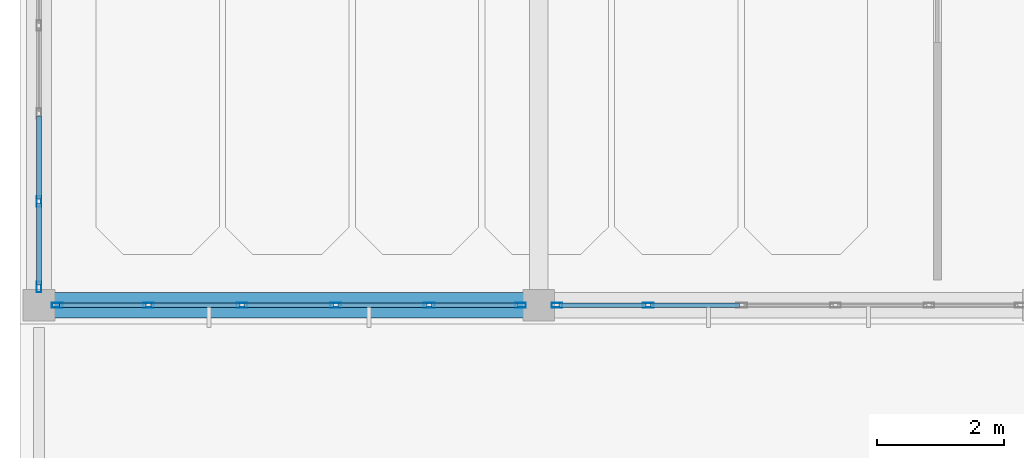
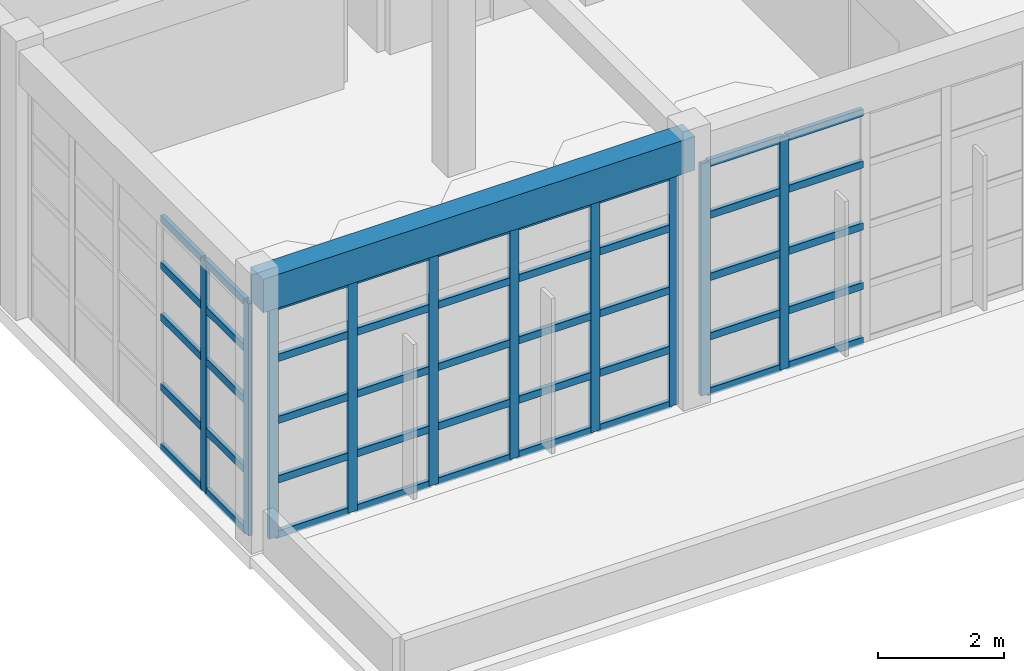
# One storey, part 3 of 103: 55 members, 1 beam, 3 elements without a shape of their own.
"""IFC4 building model written with IfcOpenShell, lengths in metres."""

from ifc_helpers import new_model, si_unit, direction, frame, origin, origin_2d, place, context, subcontext, project, spatial, rectangle, hollow_rectangle, extrude, material, layer, layer_set, material_profile, profile_set, type_object, element, aggregate, save


model = new_model("IFC4")

# Units and contexts
model_context = context("Model", 3, precision=1e-05, world=origin(), true_north=direction((0.0, 1.0)))
body_context = subcontext(model_context, "Body", "Model", "MODEL_VIEW")
ifc_project = project(units=[si_unit("LENGTHUNIT", "METRE"), si_unit("AREAUNIT", "SQUARE_METRE"), si_unit("VOLUMEUNIT", "CUBIC_METRE"), si_unit("PLANEANGLEUNIT", "RADIAN"), si_unit("MASSUNIT", "GRAM", prefix="KILO")], contexts=[model_context])

# Site, building, storey
site_placement = place(None, origin())
site = spatial("IfcSite", under=ifc_project, at=site_placement, CompositionType="ELEMENT")
building_placement = place(site_placement, origin())
building = spatial("IfcBuilding", under=site, at=building_placement, Name="Candilejo Ridge Gondola Terminal", CompositionType="ELEMENT")
storey_placement = place(building_placement, frame((0.0, 0.0, 9.0)))
storey = spatial("IfcBuildingStorey", under=building, at=storey_placement, Name="L02", CompositionType="ELEMENT", Elevation=9.0)

# Curtain wall, members
ifc_material_1 = material(Name="Anodised aluminium AA 6063-T6", Category="aluminium")
ifc_layer_1 = layer(ifc_material_1, 0.169921875)
ifc_layer_set_1 = layer_set([ifc_layer_1], Name="ARC-CW-GALLERY-3200-740X449")
curtain_wall_type_1 = type_object("IfcCurtainWallType", Name="ARC-CW-GALLERY-3200-740X449", PredefinedType="NOTDEFINED", material=ifc_layer_set_1)
curtain_wall_1_placement = place(storey_placement, origin())
curtain_wall_1 = element("IfcCurtainWall", 1, at=curtain_wall_1_placement, inside=storey, type_object=curtain_wall_type_1, Name="Curtain wall V1 L02-003", PredefinedType="NOTDEFINED")
ifc_material_2 = material(Name="Anodised aluminium AA 6063-T6", Category="aluminium")
ifc_material_profile_1 = material_profile(ifc_material_2, hollow_rectangle(XDim=0.074951171875, YDim=0.169921875, WallThickness=0.00390625, at=origin_2d()))
ifc_profile_set_1 = profile_set([ifc_material_profile_1], Name="Anodised aluminium AA 6063-T6")
member_type_1 = type_object("IfcMemberType", Name="ARC-CW-MULLION", PredefinedType="MULLION", material=ifc_profile_set_1)
member_1_placement = place(storey_placement, frame((4.58740234375, 10.800048828125, 0.0), z_axis=(0.0, 0.0, 1.0), x_axis=(0.0, 1.0, 0.0)))
member_1 = element("IfcMember", 2, at=member_1_placement, type_object=member_type_1, Name="CW-74X44 mullion 1", PredefinedType="MULLION", context=body_context, shape_type="SweptSolid", body=[
    extrude(hollow_rectangle(XDim=0.074951171875, YDim=0.169921875, WallThickness=0.00390625, at=origin_2d()), origin(), (0.0, 0.0, 1.0), 4.489990234375),
])
member_2_placement = place(storey_placement, frame((6.030029296875, 10.800048828125, 0.0), z_axis=(0.0, 0.0, 1.0), x_axis=(0.0, 1.0, 0.0)))
member_2 = element("IfcMember", 3, at=member_2_placement, type_object=member_type_1, Name="CW-74X44 mullion 2", PredefinedType="MULLION", context=body_context, shape_type="SweptSolid", body=[
    extrude(hollow_rectangle(XDim=0.074951171875, YDim=0.169921875, WallThickness=0.00390625, at=origin_2d()), origin(), (0.0, 0.0, 1.0), 4.489990234375),
])
member_3_placement = place(storey_placement, frame((7.510009765625, 10.800048828125, 0.0), z_axis=(0.0, 0.0, 1.0), x_axis=(0.0, 1.0, 0.0)))
member_3 = element("IfcMember", 4, at=member_3_placement, type_object=member_type_1, Name="CW-74X44 mullion 3", PredefinedType="MULLION", context=body_context, shape_type="SweptSolid", body=[
    extrude(hollow_rectangle(XDim=0.074951171875, YDim=0.169921875, WallThickness=0.00390625, at=origin_2d()), origin(), (0.0, 0.0, 1.0), 4.489990234375),
])
member_4_placement = place(storey_placement, frame((8.989990234375, 10.800048828125, 0.0), z_axis=(0.0, 0.0, 1.0), x_axis=(0.0, 1.0, 0.0)))
member_4 = element("IfcMember", 5, at=member_4_placement, type_object=member_type_1, Name="CW-74X44 mullion 4", PredefinedType="MULLION", context=body_context, shape_type="SweptSolid", body=[
    extrude(hollow_rectangle(XDim=0.074951171875, YDim=0.169921875, WallThickness=0.00390625, at=origin_2d()), origin(), (0.0, 0.0, 1.0), 4.489990234375),
])
member_5_placement = place(storey_placement, frame((10.469970703125, 10.800048828125, 0.0), z_axis=(0.0, 0.0, 1.0), x_axis=(0.0, 1.0, 0.0)))
member_5 = element("IfcMember", 6, at=member_5_placement, type_object=member_type_1, Name="CW-74X44 mullion 5", PredefinedType="MULLION", context=body_context, shape_type="SweptSolid", body=[
    extrude(hollow_rectangle(XDim=0.074951171875, YDim=0.169921875, WallThickness=0.00390625, at=origin_2d()), origin(), (0.0, 0.0, 1.0), 4.489990234375),
])
member_6_placement = place(storey_placement, frame((11.91259765625, 10.800048828125, 0.0), z_axis=(0.0, 0.0, 1.0), x_axis=(0.0, 1.0, 0.0)))
member_6 = element("IfcMember", 7, at=member_6_placement, type_object=member_type_1, Name="CW-74X44 mullion 6", PredefinedType="MULLION", context=body_context, shape_type="SweptSolid", body=[
    extrude(hollow_rectangle(XDim=0.074951171875, YDim=0.169921875, WallThickness=0.00390625, at=origin_2d()), origin(), (0.0, 0.0, 1.0), 4.489990234375),
])

curtain_wall_2_placement = place(storey_placement, origin())
curtain_wall_2 = element("IfcCurtainWall", 8, at=curtain_wall_2_placement, inside=storey, type_object=curtain_wall_type_1, Name="Curtain wall V1 L02-007", PredefinedType="NOTDEFINED")
member_7_placement = place(storey_placement, frame((12.487548828125, 10.800048828125, 0.0), z_axis=(0.0, 0.0, 1.0), x_axis=(0.0, 1.0, 0.0)))
member_7 = element("IfcMember", 9, at=member_7_placement, type_object=member_type_1, Name="CW-74X44 mullion 1", PredefinedType="MULLION", context=body_context, shape_type="SweptSolid", body=[
    extrude(hollow_rectangle(XDim=0.074951171875, YDim=0.169921875, WallThickness=0.00390625, at=origin_2d()), origin(), (0.0, 0.0, 1.0), 4.489990234375),
])
member_8_placement = place(storey_placement, frame((13.929931640625, 10.800048828125, 0.0), z_axis=(0.0, 0.0, 1.0), x_axis=(0.0, 1.0, 0.0)))
member_8 = element("IfcMember", 10, at=member_8_placement, type_object=member_type_1, Name="CW-74X44 mullion 2", PredefinedType="MULLION", context=body_context, shape_type="SweptSolid", body=[
    extrude(hollow_rectangle(XDim=0.074951171875, YDim=0.169921875, WallThickness=0.00390625, at=origin_2d()), origin(), (0.0, 0.0, 1.0), 4.489990234375),
])

ifc_material_3 = material(Name="Anodised aluminium AA 6063-T6", Category="aluminium")
ifc_layer_2 = layer(ifc_material_3, 0.169921875)
ifc_layer_set_2 = layer_set([ifc_layer_2], Name="ARC-CW-CONCOURSE-3600-695X449")
curtain_wall_type_2 = type_object("IfcCurtainWallType", Name="ARC-CW-CONCOURSE-3600-695X449", PredefinedType="NOTDEFINED", material=ifc_layer_set_2)
curtain_wall_3_placement = place(storey_placement, origin())
curtain_wall_3 = element("IfcCurtainWall", 11, at=curtain_wall_3_placement, inside=storey, type_object=curtain_wall_type_2, Name="Curtain wall V1 L02-022", PredefinedType="NOTDEFINED")
member_9_placement = place(storey_placement, frame((4.300048828125, 11.08740234375, 0.0), z_axis=(0.0, 0.0, 1.0), x_axis=(-1.0, 0.0, 0.0)))
member_9 = element("IfcMember", 12, at=member_9_placement, type_object=member_type_1, Name="CW-69X44 mullion 1", PredefinedType="MULLION", context=body_context, shape_type="SweptSolid", body=[
    extrude(hollow_rectangle(XDim=0.074951171875, YDim=0.169921875, WallThickness=0.00390625, at=origin_2d()), origin(), (0.0, 0.0, 1.0), 4.489990234375),
])
member_10_placement = place(storey_placement, frame((4.300048828125, 12.43994140625, 0.0), z_axis=(0.0, 0.0, 1.0), x_axis=(-1.0, 0.0, 0.0)))
member_10 = element("IfcMember", 13, at=member_10_placement, type_object=member_type_1, Name="CW-69X44 mullion 2", PredefinedType="MULLION", context=body_context, shape_type="SweptSolid", body=[
    extrude(hollow_rectangle(XDim=0.074951171875, YDim=0.169921875, WallThickness=0.00390625, at=origin_2d()), origin(), (0.0, 0.0, 1.0), 4.489990234375),
])

# Member
ifc_material_4 = material(Name="Anodised aluminium AA 6063-T6", Category="aluminium")
ifc_material_profile_2 = material_profile(ifc_material_4, hollow_rectangle(XDim=0.074951171875, YDim=0.139892578125, WallThickness=0.00390625, at=origin_2d()))
ifc_profile_set_2 = profile_set([ifc_material_profile_2], Name="Anodised aluminium AA 6063-T6")
member_type_2 = type_object("IfcMemberType", Name="ARC-CW-TRANSOM", PredefinedType="USERDEFINED", material=ifc_profile_set_2)
member_11_placement = place(storey_placement, frame((4.625, 10.800048828125, 0.03759765625), z_axis=(1.0, 0.0, 0.0), x_axis=(0.0, 1.0, 0.0)))
member_11 = element("IfcMember", 14, at=member_11_placement, type_object=member_type_2, Name="CW-74X44 transom 1.1", ObjectType="TRANSOM", PredefinedType="USERDEFINED", context=body_context, shape_type="SweptSolid", body=[
    extrude(hollow_rectangle(XDim=0.074951171875, YDim=0.139892578125, WallThickness=0.00390625, at=origin_2d()), origin(), (0.0, 0.0, 1.0), 1.367431640625),
])

member_12_placement = place(storey_placement, frame((4.625, 10.800048828125, 1.10009765625), z_axis=(1.0, 0.0, 0.0), x_axis=(0.0, 1.0, 0.0)))
member_12 = element("IfcMember", 15, at=member_12_placement, type_object=member_type_2, Name="CW-74X44 transom 1.2", ObjectType="TRANSOM", PredefinedType="USERDEFINED", context=body_context, shape_type="SweptSolid", body=[
    extrude(hollow_rectangle(XDim=0.074951171875, YDim=0.139892578125, WallThickness=0.00390625, at=origin_2d()), origin(), (0.0, 0.0, 1.0), 1.367431640625),
])

member_13_placement = place(storey_placement, frame((4.625, 10.800048828125, 2.25), z_axis=(1.0, 0.0, 0.0), x_axis=(0.0, 1.0, 0.0)))
member_13 = element("IfcMember", 16, at=member_13_placement, type_object=member_type_2, Name="CW-74X44 transom 1.3", ObjectType="TRANSOM", PredefinedType="USERDEFINED", context=body_context, shape_type="SweptSolid", body=[
    extrude(hollow_rectangle(XDim=0.074951171875, YDim=0.139892578125, WallThickness=0.00390625, at=origin_2d()), origin(), (0.0, 0.0, 1.0), 1.367431640625),
])

member_14_placement = place(storey_placement, frame((4.625, 10.800048828125, 3.449951171875), z_axis=(1.0, 0.0, 0.0), x_axis=(0.0, 1.0, 0.0)))
member_14 = element("IfcMember", 17, at=member_14_placement, type_object=member_type_2, Name="CW-74X44 transom 1.4", ObjectType="TRANSOM", PredefinedType="USERDEFINED", context=body_context, shape_type="SweptSolid", body=[
    extrude(hollow_rectangle(XDim=0.074951171875, YDim=0.139892578125, WallThickness=0.00390625, at=origin_2d()), origin(), (0.0, 0.0, 1.0), 1.367431640625),
])

member_15_placement = place(storey_placement, frame((4.625, 10.800048828125, 4.452392578125), z_axis=(1.0, 0.0, 0.0), x_axis=(0.0, 1.0, 0.0)))
member_15 = element("IfcMember", 18, at=member_15_placement, type_object=member_type_2, Name="CW-74X44 transom 1.5", ObjectType="TRANSOM", PredefinedType="USERDEFINED", context=body_context, shape_type="SweptSolid", body=[
    extrude(hollow_rectangle(XDim=0.074951171875, YDim=0.139892578125, WallThickness=0.00390625, at=origin_2d()), origin(), (0.0, 0.0, 1.0), 1.367431640625),
])

member_16_placement = place(storey_placement, frame((6.0673828125, 10.800048828125, 0.03759765625), z_axis=(1.0, 0.0, 0.0), x_axis=(0.0, 1.0, 0.0)))
member_16 = element("IfcMember", 19, at=member_16_placement, type_object=member_type_2, Name="CW-74X44 transom 2.1", ObjectType="TRANSOM", PredefinedType="USERDEFINED", context=body_context, shape_type="SweptSolid", body=[
    extrude(hollow_rectangle(XDim=0.074951171875, YDim=0.139892578125, WallThickness=0.00390625, at=origin_2d()), origin(), (0.0, 0.0, 1.0), 1.405029296875),
])

member_17_placement = place(storey_placement, frame((6.0673828125, 10.800048828125, 1.10009765625), z_axis=(1.0, 0.0, 0.0), x_axis=(0.0, 1.0, 0.0)))
member_17 = element("IfcMember", 20, at=member_17_placement, type_object=member_type_2, Name="CW-74X44 transom 2.2", ObjectType="TRANSOM", PredefinedType="USERDEFINED", context=body_context, shape_type="SweptSolid", body=[
    extrude(hollow_rectangle(XDim=0.074951171875, YDim=0.139892578125, WallThickness=0.00390625, at=origin_2d()), origin(), (0.0, 0.0, 1.0), 1.405029296875),
])

member_18_placement = place(storey_placement, frame((6.0673828125, 10.800048828125, 2.25), z_axis=(1.0, 0.0, 0.0), x_axis=(0.0, 1.0, 0.0)))
member_18 = element("IfcMember", 21, at=member_18_placement, type_object=member_type_2, Name="CW-74X44 transom 2.3", ObjectType="TRANSOM", PredefinedType="USERDEFINED", context=body_context, shape_type="SweptSolid", body=[
    extrude(hollow_rectangle(XDim=0.074951171875, YDim=0.139892578125, WallThickness=0.00390625, at=origin_2d()), origin(), (0.0, 0.0, 1.0), 1.405029296875),
])

member_19_placement = place(storey_placement, frame((6.0673828125, 10.800048828125, 3.449951171875), z_axis=(1.0, 0.0, 0.0), x_axis=(0.0, 1.0, 0.0)))
member_19 = element("IfcMember", 22, at=member_19_placement, type_object=member_type_2, Name="CW-74X44 transom 2.4", ObjectType="TRANSOM", PredefinedType="USERDEFINED", context=body_context, shape_type="SweptSolid", body=[
    extrude(hollow_rectangle(XDim=0.074951171875, YDim=0.139892578125, WallThickness=0.00390625, at=origin_2d()), origin(), (0.0, 0.0, 1.0), 1.405029296875),
])

member_20_placement = place(storey_placement, frame((6.0673828125, 10.800048828125, 4.452392578125), z_axis=(1.0, 0.0, 0.0), x_axis=(0.0, 1.0, 0.0)))
member_20 = element("IfcMember", 23, at=member_20_placement, type_object=member_type_2, Name="CW-74X44 transom 2.5", ObjectType="TRANSOM", PredefinedType="USERDEFINED", context=body_context, shape_type="SweptSolid", body=[
    extrude(hollow_rectangle(XDim=0.074951171875, YDim=0.139892578125, WallThickness=0.00390625, at=origin_2d()), origin(), (0.0, 0.0, 1.0), 1.405029296875),
])

member_21_placement = place(storey_placement, frame((7.547607421875, 10.800048828125, 0.03759765625), z_axis=(1.0, 0.0, 0.0), x_axis=(0.0, 1.0, 0.0)))
member_21 = element("IfcMember", 24, at=member_21_placement, type_object=member_type_2, Name="CW-74X44 transom 3.1", ObjectType="TRANSOM", PredefinedType="USERDEFINED", context=body_context, shape_type="SweptSolid", body=[
    extrude(hollow_rectangle(XDim=0.074951171875, YDim=0.139892578125, WallThickness=0.00390625, at=origin_2d()), origin(), (0.0, 0.0, 1.0), 1.40478515625),
])

member_22_placement = place(storey_placement, frame((7.547607421875, 10.800048828125, 1.10009765625), z_axis=(1.0, 0.0, 0.0), x_axis=(0.0, 1.0, 0.0)))
member_22 = element("IfcMember", 25, at=member_22_placement, type_object=member_type_2, Name="CW-74X44 transom 3.2", ObjectType="TRANSOM", PredefinedType="USERDEFINED", context=body_context, shape_type="SweptSolid", body=[
    extrude(hollow_rectangle(XDim=0.074951171875, YDim=0.139892578125, WallThickness=0.00390625, at=origin_2d()), origin(), (0.0, 0.0, 1.0), 1.40478515625),
])

member_23_placement = place(storey_placement, frame((7.547607421875, 10.800048828125, 2.25), z_axis=(1.0, 0.0, 0.0), x_axis=(0.0, 1.0, 0.0)))
member_23 = element("IfcMember", 26, at=member_23_placement, type_object=member_type_2, Name="CW-74X44 transom 3.3", ObjectType="TRANSOM", PredefinedType="USERDEFINED", context=body_context, shape_type="SweptSolid", body=[
    extrude(hollow_rectangle(XDim=0.074951171875, YDim=0.139892578125, WallThickness=0.00390625, at=origin_2d()), origin(), (0.0, 0.0, 1.0), 1.40478515625),
])

member_24_placement = place(storey_placement, frame((7.547607421875, 10.800048828125, 3.449951171875), z_axis=(1.0, 0.0, 0.0), x_axis=(0.0, 1.0, 0.0)))
member_24 = element("IfcMember", 27, at=member_24_placement, type_object=member_type_2, Name="CW-74X44 transom 3.4", ObjectType="TRANSOM", PredefinedType="USERDEFINED", context=body_context, shape_type="SweptSolid", body=[
    extrude(hollow_rectangle(XDim=0.074951171875, YDim=0.139892578125, WallThickness=0.00390625, at=origin_2d()), origin(), (0.0, 0.0, 1.0), 1.40478515625),
])

member_25_placement = place(storey_placement, frame((7.547607421875, 10.800048828125, 4.452392578125), z_axis=(1.0, 0.0, 0.0), x_axis=(0.0, 1.0, 0.0)))
member_25 = element("IfcMember", 28, at=member_25_placement, type_object=member_type_2, Name="CW-74X44 transom 3.5", ObjectType="TRANSOM", PredefinedType="USERDEFINED", context=body_context, shape_type="SweptSolid", body=[
    extrude(hollow_rectangle(XDim=0.074951171875, YDim=0.139892578125, WallThickness=0.00390625, at=origin_2d()), origin(), (0.0, 0.0, 1.0), 1.40478515625),
])

member_26_placement = place(storey_placement, frame((9.027587890625, 10.800048828125, 0.03759765625), z_axis=(1.0, 0.0, 0.0), x_axis=(0.0, 1.0, 0.0)))
member_26 = element("IfcMember", 29, at=member_26_placement, type_object=member_type_2, Name="CW-74X44 transom 4.1", ObjectType="TRANSOM", PredefinedType="USERDEFINED", context=body_context, shape_type="SweptSolid", body=[
    extrude(hollow_rectangle(XDim=0.074951171875, YDim=0.139892578125, WallThickness=0.00390625, at=origin_2d()), origin(), (0.0, 0.0, 1.0), 1.405029296875),
])

member_27_placement = place(storey_placement, frame((9.027587890625, 10.800048828125, 1.10009765625), z_axis=(1.0, 0.0, 0.0), x_axis=(0.0, 1.0, 0.0)))
member_27 = element("IfcMember", 30, at=member_27_placement, type_object=member_type_2, Name="CW-74X44 transom 4.2", ObjectType="TRANSOM", PredefinedType="USERDEFINED", context=body_context, shape_type="SweptSolid", body=[
    extrude(hollow_rectangle(XDim=0.074951171875, YDim=0.139892578125, WallThickness=0.00390625, at=origin_2d()), origin(), (0.0, 0.0, 1.0), 1.405029296875),
])

member_28_placement = place(storey_placement, frame((9.027587890625, 10.800048828125, 2.25), z_axis=(1.0, 0.0, 0.0), x_axis=(0.0, 1.0, 0.0)))
member_28 = element("IfcMember", 31, at=member_28_placement, type_object=member_type_2, Name="CW-74X44 transom 4.3", ObjectType="TRANSOM", PredefinedType="USERDEFINED", context=body_context, shape_type="SweptSolid", body=[
    extrude(hollow_rectangle(XDim=0.074951171875, YDim=0.139892578125, WallThickness=0.00390625, at=origin_2d()), origin(), (0.0, 0.0, 1.0), 1.405029296875),
])

member_29_placement = place(storey_placement, frame((9.027587890625, 10.800048828125, 3.449951171875), z_axis=(1.0, 0.0, 0.0), x_axis=(0.0, 1.0, 0.0)))
member_29 = element("IfcMember", 32, at=member_29_placement, type_object=member_type_2, Name="CW-74X44 transom 4.4", ObjectType="TRANSOM", PredefinedType="USERDEFINED", context=body_context, shape_type="SweptSolid", body=[
    extrude(hollow_rectangle(XDim=0.074951171875, YDim=0.139892578125, WallThickness=0.00390625, at=origin_2d()), origin(), (0.0, 0.0, 1.0), 1.405029296875),
])

member_30_placement = place(storey_placement, frame((9.027587890625, 10.800048828125, 4.452392578125), z_axis=(1.0, 0.0, 0.0), x_axis=(0.0, 1.0, 0.0)))
member_30 = element("IfcMember", 33, at=member_30_placement, type_object=member_type_2, Name="CW-74X44 transom 4.5", ObjectType="TRANSOM", PredefinedType="USERDEFINED", context=body_context, shape_type="SweptSolid", body=[
    extrude(hollow_rectangle(XDim=0.074951171875, YDim=0.139892578125, WallThickness=0.00390625, at=origin_2d()), origin(), (0.0, 0.0, 1.0), 1.405029296875),
])

member_31_placement = place(storey_placement, frame((10.507568359375, 10.800048828125, 0.03759765625), z_axis=(1.0, 0.0, 0.0), x_axis=(0.0, 1.0, 0.0)))
member_31 = element("IfcMember", 34, at=member_31_placement, type_object=member_type_2, Name="CW-74X44 transom 5.1", ObjectType="TRANSOM", PredefinedType="USERDEFINED", context=body_context, shape_type="SweptSolid", body=[
    extrude(hollow_rectangle(XDim=0.074951171875, YDim=0.139892578125, WallThickness=0.00390625, at=origin_2d()), origin(), (0.0, 0.0, 1.0), 1.367431640625),
])

member_32_placement = place(storey_placement, frame((10.507568359375, 10.800048828125, 1.10009765625), z_axis=(1.0, 0.0, 0.0), x_axis=(0.0, 1.0, 0.0)))
member_32 = element("IfcMember", 35, at=member_32_placement, type_object=member_type_2, Name="CW-74X44 transom 5.2", ObjectType="TRANSOM", PredefinedType="USERDEFINED", context=body_context, shape_type="SweptSolid", body=[
    extrude(hollow_rectangle(XDim=0.074951171875, YDim=0.139892578125, WallThickness=0.00390625, at=origin_2d()), origin(), (0.0, 0.0, 1.0), 1.367431640625),
])

member_33_placement = place(storey_placement, frame((10.507568359375, 10.800048828125, 2.25), z_axis=(1.0, 0.0, 0.0), x_axis=(0.0, 1.0, 0.0)))
member_33 = element("IfcMember", 36, at=member_33_placement, type_object=member_type_2, Name="CW-74X44 transom 5.3", ObjectType="TRANSOM", PredefinedType="USERDEFINED", context=body_context, shape_type="SweptSolid", body=[
    extrude(hollow_rectangle(XDim=0.074951171875, YDim=0.139892578125, WallThickness=0.00390625, at=origin_2d()), origin(), (0.0, 0.0, 1.0), 1.367431640625),
])

member_34_placement = place(storey_placement, frame((10.507568359375, 10.800048828125, 3.449951171875), z_axis=(1.0, 0.0, 0.0), x_axis=(0.0, 1.0, 0.0)))
member_34 = element("IfcMember", 37, at=member_34_placement, type_object=member_type_2, Name="CW-74X44 transom 5.4", ObjectType="TRANSOM", PredefinedType="USERDEFINED", context=body_context, shape_type="SweptSolid", body=[
    extrude(hollow_rectangle(XDim=0.074951171875, YDim=0.139892578125, WallThickness=0.00390625, at=origin_2d()), origin(), (0.0, 0.0, 1.0), 1.367431640625),
])

member_35_placement = place(storey_placement, frame((10.507568359375, 10.800048828125, 4.452392578125), z_axis=(1.0, 0.0, 0.0), x_axis=(0.0, 1.0, 0.0)))
member_35 = element("IfcMember", 38, at=member_35_placement, type_object=member_type_2, Name="CW-74X44 transom 5.5", ObjectType="TRANSOM", PredefinedType="USERDEFINED", context=body_context, shape_type="SweptSolid", body=[
    extrude(hollow_rectangle(XDim=0.074951171875, YDim=0.139892578125, WallThickness=0.00390625, at=origin_2d()), origin(), (0.0, 0.0, 1.0), 1.367431640625),
])

aggregate(curtain_wall_1, [member_1, member_2, member_3, member_4, member_5, member_6, member_11, member_12, member_13, member_14, member_15, member_16, member_17, member_18, member_19, member_20, member_21, member_22, member_23, member_24, member_25, member_26, member_27, member_28, member_29, member_30, member_31, member_32, member_33, member_34, member_35])

member_36_placement = place(storey_placement, frame((12.52490234375, 10.800048828125, 0.03759765625), z_axis=(1.0, 0.0, 0.0), x_axis=(0.0, 1.0, 0.0)))
member_36 = element("IfcMember", 39, at=member_36_placement, type_object=member_type_2, Name="CW-74X44 transom 1.1", ObjectType="TRANSOM", PredefinedType="USERDEFINED", context=body_context, shape_type="SweptSolid", body=[
    extrude(hollow_rectangle(XDim=0.074951171875, YDim=0.139892578125, WallThickness=0.00390625, at=origin_2d()), origin(), (0.0, 0.0, 1.0), 1.36767578125),
])

member_37_placement = place(storey_placement, frame((12.52490234375, 10.800048828125, 1.10009765625), z_axis=(1.0, 0.0, 0.0), x_axis=(0.0, 1.0, 0.0)))
member_37 = element("IfcMember", 40, at=member_37_placement, type_object=member_type_2, Name="CW-74X44 transom 1.2", ObjectType="TRANSOM", PredefinedType="USERDEFINED", context=body_context, shape_type="SweptSolid", body=[
    extrude(hollow_rectangle(XDim=0.074951171875, YDim=0.139892578125, WallThickness=0.00390625, at=origin_2d()), origin(), (0.0, 0.0, 1.0), 1.36767578125),
])

member_38_placement = place(storey_placement, frame((12.52490234375, 10.800048828125, 2.25), z_axis=(1.0, 0.0, 0.0), x_axis=(0.0, 1.0, 0.0)))
member_38 = element("IfcMember", 41, at=member_38_placement, type_object=member_type_2, Name="CW-74X44 transom 1.3", ObjectType="TRANSOM", PredefinedType="USERDEFINED", context=body_context, shape_type="SweptSolid", body=[
    extrude(hollow_rectangle(XDim=0.074951171875, YDim=0.139892578125, WallThickness=0.00390625, at=origin_2d()), origin(), (0.0, 0.0, 1.0), 1.36767578125),
])

member_39_placement = place(storey_placement, frame((12.52490234375, 10.800048828125, 3.449951171875), z_axis=(1.0, 0.0, 0.0), x_axis=(0.0, 1.0, 0.0)))
member_39 = element("IfcMember", 42, at=member_39_placement, type_object=member_type_2, Name="CW-74X44 transom 1.4", ObjectType="TRANSOM", PredefinedType="USERDEFINED", context=body_context, shape_type="SweptSolid", body=[
    extrude(hollow_rectangle(XDim=0.074951171875, YDim=0.139892578125, WallThickness=0.00390625, at=origin_2d()), origin(), (0.0, 0.0, 1.0), 1.36767578125),
])

member_40_placement = place(storey_placement, frame((12.52490234375, 10.800048828125, 4.452392578125), z_axis=(1.0, 0.0, 0.0), x_axis=(0.0, 1.0, 0.0)))
member_40 = element("IfcMember", 43, at=member_40_placement, type_object=member_type_2, Name="CW-74X44 transom 1.5", ObjectType="TRANSOM", PredefinedType="USERDEFINED", context=body_context, shape_type="SweptSolid", body=[
    extrude(hollow_rectangle(XDim=0.074951171875, YDim=0.139892578125, WallThickness=0.00390625, at=origin_2d()), origin(), (0.0, 0.0, 1.0), 1.36767578125),
])

member_41_placement = place(storey_placement, frame((13.967529296875, 10.800048828125, 0.03759765625), z_axis=(1.0, 0.0, 0.0), x_axis=(0.0, 1.0, 0.0)))
member_41 = element("IfcMember", 44, at=member_41_placement, type_object=member_type_2, Name="CW-74X44 transom 2.1", ObjectType="TRANSOM", PredefinedType="USERDEFINED", context=body_context, shape_type="SweptSolid", body=[
    extrude(hollow_rectangle(XDim=0.074951171875, YDim=0.139892578125, WallThickness=0.00390625, at=origin_2d()), origin(), (0.0, 0.0, 1.0), 1.405029296875),
])

member_42_placement = place(storey_placement, frame((13.967529296875, 10.800048828125, 1.10009765625), z_axis=(1.0, 0.0, 0.0), x_axis=(0.0, 1.0, 0.0)))
member_42 = element("IfcMember", 45, at=member_42_placement, type_object=member_type_2, Name="CW-74X44 transom 2.2", ObjectType="TRANSOM", PredefinedType="USERDEFINED", context=body_context, shape_type="SweptSolid", body=[
    extrude(hollow_rectangle(XDim=0.074951171875, YDim=0.139892578125, WallThickness=0.00390625, at=origin_2d()), origin(), (0.0, 0.0, 1.0), 1.405029296875),
])

member_43_placement = place(storey_placement, frame((13.967529296875, 10.800048828125, 2.25), z_axis=(1.0, 0.0, 0.0), x_axis=(0.0, 1.0, 0.0)))
member_43 = element("IfcMember", 46, at=member_43_placement, type_object=member_type_2, Name="CW-74X44 transom 2.3", ObjectType="TRANSOM", PredefinedType="USERDEFINED", context=body_context, shape_type="SweptSolid", body=[
    extrude(hollow_rectangle(XDim=0.074951171875, YDim=0.139892578125, WallThickness=0.00390625, at=origin_2d()), origin(), (0.0, 0.0, 1.0), 1.405029296875),
])

member_44_placement = place(storey_placement, frame((13.967529296875, 10.800048828125, 3.449951171875), z_axis=(1.0, 0.0, 0.0), x_axis=(0.0, 1.0, 0.0)))
member_44 = element("IfcMember", 47, at=member_44_placement, type_object=member_type_2, Name="CW-74X44 transom 2.4", ObjectType="TRANSOM", PredefinedType="USERDEFINED", context=body_context, shape_type="SweptSolid", body=[
    extrude(hollow_rectangle(XDim=0.074951171875, YDim=0.139892578125, WallThickness=0.00390625, at=origin_2d()), origin(), (0.0, 0.0, 1.0), 1.405029296875),
])

member_45_placement = place(storey_placement, frame((13.967529296875, 10.800048828125, 4.452392578125), z_axis=(1.0, 0.0, 0.0), x_axis=(0.0, 1.0, 0.0)))
member_45 = element("IfcMember", 48, at=member_45_placement, type_object=member_type_2, Name="CW-74X44 transom 2.5", ObjectType="TRANSOM", PredefinedType="USERDEFINED", context=body_context, shape_type="SweptSolid", body=[
    extrude(hollow_rectangle(XDim=0.074951171875, YDim=0.139892578125, WallThickness=0.00390625, at=origin_2d()), origin(), (0.0, 0.0, 1.0), 1.405029296875),
])

aggregate(curtain_wall_2, [member_7, member_8, member_36, member_37, member_38, member_39, member_40, member_41, member_42, member_43, member_44, member_45])

member_46_placement = place(storey_placement, frame((4.300048828125, 11.125, 0.03759765625), z_axis=(0.0, 1.0, 0.0), x_axis=(-1.0, 0.0, 0.0)))
member_46 = element("IfcMember", 49, at=member_46_placement, type_object=member_type_2, Name="CW-69X44 transom 1.1", ObjectType="TRANSOM", PredefinedType="USERDEFINED", context=body_context, shape_type="SweptSolid", body=[
    extrude(hollow_rectangle(XDim=0.074951171875, YDim=0.139892578125, WallThickness=0.00390625, at=origin_2d()), origin(), (0.0, 0.0, 1.0), 1.277587890625),
])

member_47_placement = place(storey_placement, frame((4.300048828125, 11.125, 1.199951171875), z_axis=(0.0, 1.0, 0.0), x_axis=(-1.0, 0.0, 0.0)))
member_47 = element("IfcMember", 50, at=member_47_placement, type_object=member_type_2, Name="CW-69X44 transom 1.2", ObjectType="TRANSOM", PredefinedType="USERDEFINED", context=body_context, shape_type="SweptSolid", body=[
    extrude(hollow_rectangle(XDim=0.074951171875, YDim=0.139892578125, WallThickness=0.00390625, at=origin_2d()), origin(), (0.0, 0.0, 1.0), 1.277587890625),
])

member_48_placement = place(storey_placement, frame((4.300048828125, 11.125, 2.550048828125), z_axis=(0.0, 1.0, 0.0), x_axis=(-1.0, 0.0, 0.0)))
member_48 = element("IfcMember", 51, at=member_48_placement, type_object=member_type_2, Name="CW-69X44 transom 1.3", ObjectType="TRANSOM", PredefinedType="USERDEFINED", context=body_context, shape_type="SweptSolid", body=[
    extrude(hollow_rectangle(XDim=0.074951171875, YDim=0.139892578125, WallThickness=0.00390625, at=origin_2d()), origin(), (0.0, 0.0, 1.0), 1.277587890625),
])

member_49_placement = place(storey_placement, frame((4.300048828125, 11.125, 3.550048828125), z_axis=(0.0, 1.0, 0.0), x_axis=(-1.0, 0.0, 0.0)))
member_49 = element("IfcMember", 52, at=member_49_placement, type_object=member_type_2, Name="CW-69X44 transom 1.4", ObjectType="TRANSOM", PredefinedType="USERDEFINED", context=body_context, shape_type="SweptSolid", body=[
    extrude(hollow_rectangle(XDim=0.074951171875, YDim=0.139892578125, WallThickness=0.00390625, at=origin_2d()), origin(), (0.0, 0.0, 1.0), 1.277587890625),
])

member_50_placement = place(storey_placement, frame((4.300048828125, 11.125, 4.452392578125), z_axis=(0.0, 1.0, 0.0), x_axis=(-1.0, 0.0, 0.0)))
member_50 = element("IfcMember", 53, at=member_50_placement, type_object=member_type_2, Name="CW-69X44 transom 1.5", ObjectType="TRANSOM", PredefinedType="USERDEFINED", context=body_context, shape_type="SweptSolid", body=[
    extrude(hollow_rectangle(XDim=0.074951171875, YDim=0.139892578125, WallThickness=0.00390625, at=origin_2d()), origin(), (0.0, 0.0, 1.0), 1.277587890625),
])

member_51_placement = place(storey_placement, frame((4.300048828125, 12.4775390625, 0.03759765625), z_axis=(0.0, 1.0, 0.0), x_axis=(-1.0, 0.0, 0.0)))
member_51 = element("IfcMember", 54, at=member_51_placement, type_object=member_type_2, Name="CW-69X44 transom 2.1", ObjectType="TRANSOM", PredefinedType="USERDEFINED", context=body_context, shape_type="SweptSolid", body=[
    extrude(hollow_rectangle(XDim=0.074951171875, YDim=0.139892578125, WallThickness=0.00390625, at=origin_2d()), origin(), (0.0, 0.0, 1.0), 1.31494140625),
])

member_52_placement = place(storey_placement, frame((4.300048828125, 12.4775390625, 1.199951171875), z_axis=(0.0, 1.0, 0.0), x_axis=(-1.0, 0.0, 0.0)))
member_52 = element("IfcMember", 55, at=member_52_placement, type_object=member_type_2, Name="CW-69X44 transom 2.2", ObjectType="TRANSOM", PredefinedType="USERDEFINED", context=body_context, shape_type="SweptSolid", body=[
    extrude(hollow_rectangle(XDim=0.074951171875, YDim=0.139892578125, WallThickness=0.00390625, at=origin_2d()), origin(), (0.0, 0.0, 1.0), 1.31494140625),
])

member_53_placement = place(storey_placement, frame((4.300048828125, 12.4775390625, 2.550048828125), z_axis=(0.0, 1.0, 0.0), x_axis=(-1.0, 0.0, 0.0)))
member_53 = element("IfcMember", 56, at=member_53_placement, type_object=member_type_2, Name="CW-69X44 transom 2.3", ObjectType="TRANSOM", PredefinedType="USERDEFINED", context=body_context, shape_type="SweptSolid", body=[
    extrude(hollow_rectangle(XDim=0.074951171875, YDim=0.139892578125, WallThickness=0.00390625, at=origin_2d()), origin(), (0.0, 0.0, 1.0), 1.31494140625),
])

member_54_placement = place(storey_placement, frame((4.300048828125, 12.4775390625, 3.550048828125), z_axis=(0.0, 1.0, 0.0), x_axis=(-1.0, 0.0, 0.0)))
member_54 = element("IfcMember", 57, at=member_54_placement, type_object=member_type_2, Name="CW-69X44 transom 2.4", ObjectType="TRANSOM", PredefinedType="USERDEFINED", context=body_context, shape_type="SweptSolid", body=[
    extrude(hollow_rectangle(XDim=0.074951171875, YDim=0.139892578125, WallThickness=0.00390625, at=origin_2d()), origin(), (0.0, 0.0, 1.0), 1.31494140625),
])

member_55_placement = place(storey_placement, frame((4.300048828125, 12.4775390625, 4.452392578125), z_axis=(0.0, 1.0, 0.0), x_axis=(-1.0, 0.0, 0.0)))
member_55 = element("IfcMember", 58, at=member_55_placement, type_object=member_type_2, Name="CW-69X44 transom 2.5", ObjectType="TRANSOM", PredefinedType="USERDEFINED", context=body_context, shape_type="SweptSolid", body=[
    extrude(hollow_rectangle(XDim=0.074951171875, YDim=0.139892578125, WallThickness=0.00390625, at=origin_2d()), origin(), (0.0, 0.0, 1.0), 1.31494140625),
])

aggregate(curtain_wall_3, [member_9, member_10, member_46, member_47, member_48, member_49, member_50, member_51, member_52, member_53, member_54, member_55])

# Beam
ifc_material_5 = material(Name="Concrete f'c 35 MPa (C35/45)", Category="concrete")
ifc_material_profile_3 = material_profile(ifc_material_5, rectangle(XDim=0.39990234375, YDim=0.64990234375, at=origin_2d()))
ifc_profile_set_3 = profile_set([ifc_material_profile_3], Name="Concrete f'c 35 MPa (C35/45)")
beam_type = type_object("IfcBeamType", Name="STR-SPN-RC400X650", PredefinedType="SPANDREL", material=ifc_profile_set_3)
beam_placement = place(storey_placement, frame((4.300048828125, 10.800048828125, 4.875), z_axis=(1.0, 0.0, 0.0), x_axis=(0.0, 1.0, 0.0)))
element("IfcBeam", 59, at=beam_placement, inside=storey, type_object=beam_type, Name="Beam X V1 L02 X01-X02@Y02", PredefinedType="SPANDREL", context=body_context, shape_type="SweptSolid", body=[
    extrude(rectangle(XDim=0.39990234375, YDim=0.64990234375, at=origin_2d()), origin(), (0.0, 0.0, 1.0), 7.89990234375),
])

save(model, "model.ifc")
